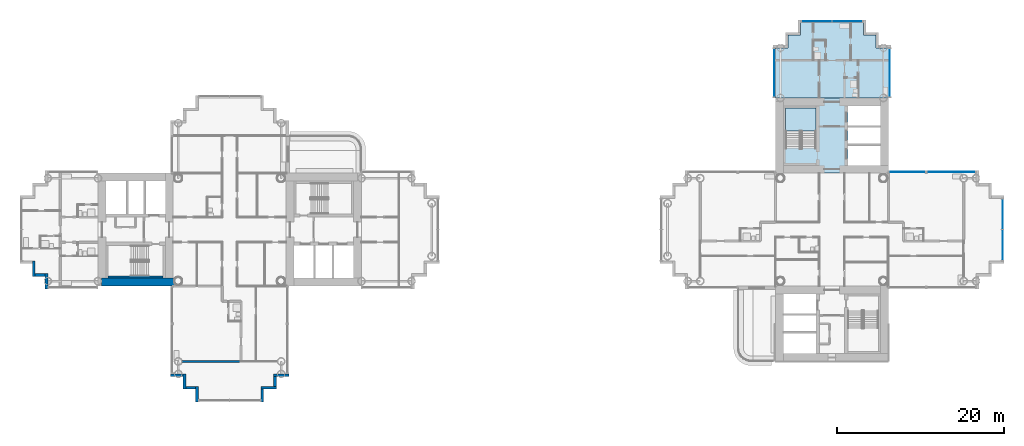
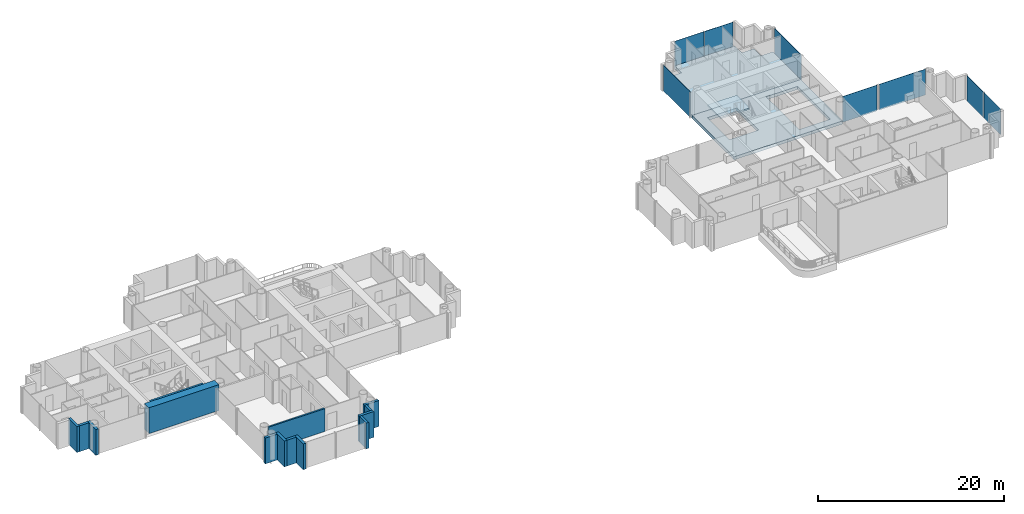
# One storey, part 8 of 21: 14 walls, 8 plates, 3 slabs, 7 elements without a shape of their own.
"""IFC4 building model written with IfcOpenShell, lengths in metres."""

from ifc_helpers import new_model, si_unit, direction, frame, frame_2d, origin, origin_2d, place, context, subcontext, project, spatial, polyline, rectangle, outline, extrude, material, layer, layer_set, type_object, element, aggregate, save


model = new_model("IFC4")

# Units and contexts
model_context = context("Model", 3, precision=1e-05, world=origin(), true_north=direction((0.0, 1.0)))
body_context = subcontext(model_context, "Body", "Model", "MODEL_VIEW")
ifc_project = project(units=[si_unit("LENGTHUNIT", "METRE"), si_unit("AREAUNIT", "SQUARE_METRE"), si_unit("VOLUMEUNIT", "CUBIC_METRE"), si_unit("PLANEANGLEUNIT", "RADIAN"), si_unit("MASSUNIT", "GRAM", prefix="KILO")], contexts=[model_context])

# Site, building, storey
site_placement = place(None, origin())
site = spatial("IfcSite", under=ifc_project, at=site_placement, CompositionType="ELEMENT")
building_placement = place(site_placement, origin())
building = spatial("IfcBuilding", under=site, at=building_placement, Name="Ipe Terrace Towers", CompositionType="ELEMENT")
storey_placement = place(building_placement, frame((0.0, 0.0, 83.39990234375)))
storey = spatial("IfcBuildingStorey", under=building, at=storey_placement, Name="L22", CompositionType="ELEMENT", Elevation=83.39990234375)

# Slab
ifc_material_1 = material(Name="Concrete C30/37", Category="concrete")
ifc_layer_1 = layer(ifc_material_1, 0.39990234375)
ifc_layer_set_1 = layer_set([ifc_layer_1], Name="CORE FLOOR SLAB 400 C30-37")
slab_type_1 = type_object("IfcSlabType", Name="CORE FLOOR SLAB 400 C30-37", PredefinedType="FLOOR", material=ifc_layer_set_1)
slab_1_placement = place(storey_placement, frame((0.0, 0.0, -0.39990234375)))
element("IfcSlab", 1, at=slab_1_placement, inside=storey, type_object=slab_type_1, Name="Core floor T2-C1", PredefinedType="FLOOR", context=body_context, shape_type="SweptSolid", body=[
    extrude(outline(polyline([(29.25, 6.75), (29.25, 15.75), (42.75, 15.75), (42.75, 6.75), (29.25, 6.75)]), holes=[polyline([(41.800048828125, 7.699951171875), (41.800048828125, 14.800048828125), (37.89990234375, 14.800048828125), (37.89990234375, 7.699951171875), (41.800048828125, 7.699951171875)]), polyline([(30.449951171875, 9.800048828125), (34.10009765625, 9.800048828125), (34.10009765625, 14.550048828125), (30.449951171875, 14.550048828125), (30.449951171875, 9.800048828125)])]), origin(), (0.0, 0.0, 1.0), 0.39990234375),
])

# Stair, slab
ifc_material_2 = material(Name="Concrete C30/37", Category="concrete")
stair_type = type_object("IfcStairType", Name="Protected exit stair", PredefinedType="HALF_TURN_STAIR", material=ifc_material_2)
stair_placement = place(storey_placement, origin())
stair = element("IfcStair", 2, at=stair_placement, inside=storey, type_object=stair_type, Name="L22 Exit stair T2-C1", PredefinedType="HALF_TURN_STAIR")
ifc_material_3 = material(Name="Concrete C30/37", Category="concrete")
ifc_layer_2 = layer(ifc_material_3, 0.199951171875)
ifc_layer_set_2 = layer_set([ifc_layer_2], Name="Exit stair landing 200")
slab_type_2 = type_object("IfcSlabType", Name="Exit stair landing 200", PredefinedType="LANDING", material=ifc_layer_set_2)
slab_2_placement = place(storey_placement, frame((0.0, 0.0, 1.5)))
slab_2 = element("IfcSlab", 3, at=slab_2_placement, type_object=slab_type_2, Name="T2-ST1 landing 1", PredefinedType="LANDING", context=body_context, shape_type="SweptSolid", body=[
    extrude(outline(polyline([(34.10009765625, 11.780029296875), (34.10009765625, 14.550048828125), (30.449951171875, 14.550048828125), (30.449951171875, 11.780029296875), (34.10009765625, 11.780029296875)])), origin(), (0.0, 0.0, 1.0), 0.2001953125),
])
aggregate(stair, [slab_2])

# Slab
ifc_material_4 = material(Name="Concrete C40/50", Category="concrete")
ifc_layer_3 = layer(ifc_material_4, 0.39990234375)
ifc_layer_set_3 = layer_set([ifc_layer_3], Name="FLAT PLATE SLAB 400 C40-50")
slab_type_3 = type_object("IfcSlabType", Name="FLAT PLATE SLAB 400 C40-50", PredefinedType="FLOOR", material=ifc_layer_set_3)
slab_3_placement = place(storey_placement, frame((0.0, 0.0, -0.39990234375)))
element("IfcSlab", 4, at=slab_3_placement, inside=storey, type_object=slab_type_3, Name="Slab T2-FS-Z22", PredefinedType="FLOOR", context=body_context, shape_type="SweptSolid", body=[
    extrude(outline(polyline([(30.75, 21.75), (30.75, 23.25), (32.25, 23.25), (32.25, 24.75), (39.75, 24.75), (39.75, 23.25), (41.25, 23.25), (41.25, 21.75), (42.75, 21.75), (42.75, 15.75), (29.25, 15.75), (29.25, 21.75), (30.75, 21.75)])), origin(), (0.0, 0.0, 1.0), 0.39990234375),
])

# Curtain wall, plates
ifc_material_5 = material(Name="Aluminium alloy 6063-T6", Category="aluminium")
ifc_layer_4 = layer(ifc_material_5, 0.320068359375)
ifc_layer_set_4 = layer_set([ifc_layer_4], Name="TOWER UNITISED CURTAIN WALL")
curtain_wall_type = type_object("IfcCurtainWallType", Name="TOWER UNITISED CURTAIN WALL", PredefinedType="NOTDEFINED", material=ifc_layer_set_4)
curtain_wall_1_placement = place(storey_placement, origin())
curtain_wall_1 = element("IfcCurtainWall", 5, at=curtain_wall_1_placement, inside=storey, type_object=curtain_wall_type, Name="T2-CW-L22-08a curtain wall", PredefinedType="NOTDEFINED")
ifc_material_6 = material(Name="Glass, clear laminated", Category="glass")
ifc_layer_5 = layer(ifc_material_6, 0.031982421875)
ifc_layer_set_5 = layer_set([ifc_layer_5], Name="TOWER UNITISED GLASS PANEL 32")
plate_type = type_object("IfcPlateType", Name="TOWER UNITISED GLASS PANEL 32", PredefinedType="CURTAIN_PANEL", material=ifc_layer_set_5)
plate_1_placement = place(storey_placement, frame((56.409912109375, -1.831298828125, -0.2998046875), z_axis=(0.0, 0.0, 1.0), x_axis=(0.0, 1.0, 0.0)))
plate_1 = element("IfcPlate", 6, at=plate_1_placement, type_object=plate_type, Name="T2-CW-L22-08a panel 1", PredefinedType="CURTAIN_PANEL", context=body_context, shape_type="SweptSolid", body=[
    extrude(rectangle(XDim=3.597412109375, YDim=0.031982421875, at=origin_2d()), origin(), (0.0, 0.0, 1.0), 3.39990234375),
])
plate_2_placement = place(storey_placement, frame((56.409912109375, 1.831298828125, -0.2998046875), z_axis=(0.0, 0.0, 1.0), x_axis=(0.0, 1.0, 0.0)))
plate_2 = element("IfcPlate", 7, at=plate_2_placement, type_object=plate_type, Name="T2-CW-L22-08a panel 2", PredefinedType="CURTAIN_PANEL", context=body_context, shape_type="SweptSolid", body=[
    extrude(rectangle(XDim=3.597412109375, YDim=0.031982421875, at=origin_2d()), origin(), (0.0, 0.0, 1.0), 3.39990234375),
])
aggregate(curtain_wall_1, [plate_1, plate_2])

# Curtain wall, plate
curtain_wall_2_placement = place(storey_placement, origin())
curtain_wall_2 = element("IfcCurtainWall", 8, at=curtain_wall_2_placement, inside=storey, type_object=curtain_wall_type, Name="T2-CW-L22-13a curtain wall", PredefinedType="NOTDEFINED")
plate_3_placement = place(storey_placement, frame((50.25, 6.909912109375, -0.2998046875), z_axis=(0.0, 0.0, 1.0), x_axis=(-1.0, 0.0, 0.0)))
plate_3 = element("IfcPlate", 9, at=plate_3_placement, type_object=plate_type, Name="T2-CW-L22-13a panel 1", PredefinedType="CURTAIN_PANEL", context=body_context, shape_type="SweptSolid", body=[
    extrude(rectangle(XDim=5.760009765625, YDim=0.031982421875, at=origin_2d()), origin(), (0.0, 0.0, 1.0), 3.39990234375),
])
aggregate(curtain_wall_2, [plate_3])

curtain_wall_3_placement = place(storey_placement, origin())
curtain_wall_3 = element("IfcCurtainWall", 10, at=curtain_wall_3_placement, inside=storey, type_object=curtain_wall_type, Name="T2-CW-L22-14a curtain wall", PredefinedType="NOTDEFINED")
plate_4_placement = place(storey_placement, frame((45.0, 6.909912109375, -0.2998046875), z_axis=(0.0, 0.0, 1.0), x_axis=(-1.0, 0.0, 0.0)))
plate_4 = element("IfcPlate", 11, at=plate_4_placement, type_object=plate_type, Name="T2-CW-L22-14a panel 1", PredefinedType="CURTAIN_PANEL", context=body_context, shape_type="SweptSolid", body=[
    extrude(rectangle(XDim=4.260009765625, YDim=0.031982421875, at=origin_2d()), origin(), (0.0, 0.0, 1.0), 3.39990234375),
])
aggregate(curtain_wall_3, [plate_4])

curtain_wall_4_placement = place(storey_placement, origin())
curtain_wall_4 = element("IfcCurtainWall", 12, at=curtain_wall_4_placement, inside=storey, type_object=curtain_wall_type, Name="T2-CW-L22-16b curtain wall", PredefinedType="NOTDEFINED")
plate_5_placement = place(storey_placement, frame((42.909912109375, 18.75048828125, -0.2998046875), z_axis=(0.0, 0.0, 1.0), x_axis=(0.0, 1.0, 0.0)))
plate_5 = element("IfcPlate", 13, at=plate_5_placement, type_object=plate_type, Name="T2-CW-L22-16b panel 1", PredefinedType="CURTAIN_PANEL", context=body_context, shape_type="SweptSolid", body=[
    extrude(rectangle(XDim=5.759033203125, YDim=0.031982421875, at=origin_2d()), origin(), (0.0, 0.0, 1.0), 3.39990234375),
])
aggregate(curtain_wall_4, [plate_5])

# Curtain wall, plates
curtain_wall_5_placement = place(storey_placement, origin())
curtain_wall_5 = element("IfcCurtainWall", 14, at=curtain_wall_5_placement, inside=storey, type_object=curtain_wall_type, Name="T2-CW-L22-21a curtain wall", PredefinedType="NOTDEFINED")
plate_6_placement = place(storey_placement, frame((37.831298828125, 24.909912109375, -0.2998046875), z_axis=(0.0, 0.0, 1.0), x_axis=(-1.0, 0.0, 0.0)))
plate_6 = element("IfcPlate", 15, at=plate_6_placement, type_object=plate_type, Name="T2-CW-L22-21a panel 1", PredefinedType="CURTAIN_PANEL", context=body_context, shape_type="SweptSolid", body=[
    extrude(rectangle(XDim=3.597412109375, YDim=0.031982421875, at=origin_2d()), origin(), (0.0, 0.0, 1.0), 3.39990234375),
])
plate_7_placement = place(storey_placement, frame((34.168701171875, 24.909912109375, -0.2998046875), z_axis=(0.0, 0.0, 1.0), x_axis=(-1.0, 0.0, 0.0)))
plate_7 = element("IfcPlate", 16, at=plate_7_placement, type_object=plate_type, Name="T2-CW-L22-21a panel 2", PredefinedType="CURTAIN_PANEL", context=body_context, shape_type="SweptSolid", body=[
    extrude(rectangle(XDim=3.597412109375, YDim=0.031982421875, at=origin_2d()), origin(), (0.0, 0.0, 1.0), 3.39990234375),
])
aggregate(curtain_wall_5, [plate_6, plate_7])

# Curtain wall, plate
curtain_wall_6_placement = place(storey_placement, origin())
curtain_wall_6 = element("IfcCurtainWall", 17, at=curtain_wall_6_placement, inside=storey, type_object=curtain_wall_type, Name="T2-CW-L22-26a curtain wall", PredefinedType="NOTDEFINED")
plate_8_placement = place(storey_placement, frame((29.090087890625, 18.75048828125, -0.2998046875), z_axis=(0.0, 0.0, 1.0), x_axis=(0.0, -1.0, 0.0)))
plate_8 = element("IfcPlate", 18, at=plate_8_placement, type_object=plate_type, Name="T2-CW-L22-26a panel 1", PredefinedType="CURTAIN_PANEL", context=body_context, shape_type="SweptSolid", body=[
    extrude(rectangle(XDim=5.759033203125, YDim=0.031982421875, at=origin_2d()), origin(), (0.0, 0.0, 1.0), 3.39990234375),
])
aggregate(curtain_wall_6, [plate_8])

# Walls
ifc_material_7 = material(Name="Concrete C40/50 with buff precast cladding", Category="concrete")
ifc_layer_6 = layer(ifc_material_7, 0.320068359375)
ifc_layer_set_6 = layer_set([ifc_layer_6], Name="BUFF CLADDING WALL 320")
wall_type_1 = type_object("IfcWallType", Name="BUFF CLADDING WALL 320", PredefinedType="STANDARD", material=ifc_layer_set_6)
wall_1_placement = place(storey_placement, frame((-59.409912109375, -3.75, -0.2998046875), z_axis=(0.0, 0.0, 1.0), x_axis=(0.0, -1.0, 0.0)))
element("IfcWall", 19, at=wall_1_placement, inside=storey, type_object=wall_type_1, Name="T1-W-L22-01a wall", PredefinedType="STANDARD", context=body_context, shape_type="SweptSolid", body=[
    extrude(rectangle(XDim=1.820068359375, YDim=0.320068359375, at=frame_2d((0.91015625, 0.0))), origin(), (0.0, 0.0, 1.0), 3.39990234375),
])
wall_2_placement = place(storey_placement, frame((-59.25, -5.409912109375, -0.2998046875), z_axis=(0.0, 0.0, 1.0), x_axis=(1.0, 0.0, 0.0)))
element("IfcWall", 20, at=wall_2_placement, inside=storey, type_object=wall_type_1, Name="T1-W-L22-02a wall", PredefinedType="STANDARD", context=body_context, shape_type="SweptSolid", body=[
    extrude(rectangle(XDim=1.179931640625, YDim=0.320068359375, at=frame_2d((0.58984375, 0.0))), origin(), (0.0, 0.0, 1.0), 3.39990234375),
])
wall_3_placement = place(storey_placement, frame((-57.909912109375, -5.25, -0.2998046875), z_axis=(0.0, 0.0, 1.0), x_axis=(0.0, -1.0, 0.0)))
element("IfcWall", 21, at=wall_3_placement, inside=storey, type_object=wall_type_1, Name="T1-W-L22-03a wall", PredefinedType="STANDARD", context=body_context, shape_type="SweptSolid", body=[
    extrude(rectangle(XDim=1.820068359375, YDim=0.320068359375, at=frame_2d((0.91015625, 0.0))), origin(), (0.0, 0.0, 1.0), 3.39990234375),
])
wall_4_placement = place(storey_placement, frame((-43.070068359375, -17.409912109375, -0.2998046875), z_axis=(0.0, 0.0, 1.0), x_axis=(1.0, 0.0, 0.0)))
element("IfcWall", 22, at=wall_4_placement, inside=storey, type_object=wall_type_1, Name="T1-W-L22-08a wall", PredefinedType="STANDARD", context=body_context, shape_type="SweptSolid", body=[
    extrude(rectangle(XDim=1.5, YDim=0.320068359375, at=frame_2d((0.75, 0.0))), origin(), (0.0, 0.0, 1.0), 3.39990234375),
])
wall_5_placement = place(storey_placement, frame((-41.409912109375, -17.25, -0.2998046875), z_axis=(0.0, 0.0, 1.0), x_axis=(0.0, -1.0, 0.0)))
element("IfcWall", 23, at=wall_5_placement, inside=storey, type_object=wall_type_1, Name="T1-W-L22-09a wall", PredefinedType="STANDARD", context=body_context, shape_type="SweptSolid", body=[
    extrude(rectangle(XDim=1.820068359375, YDim=0.320068359375, at=frame_2d((0.91015625, 0.0))), origin(), (0.0, 0.0, 1.0), 3.39990234375),
])
wall_6_placement = place(storey_placement, frame((-41.25, -18.909912109375, -0.2998046875), z_axis=(0.0, 0.0, 1.0), x_axis=(1.0, 0.0, 0.0)))
element("IfcWall", 24, at=wall_6_placement, inside=storey, type_object=wall_type_1, Name="T1-W-L22-10a wall", PredefinedType="STANDARD", context=body_context, shape_type="SweptSolid", body=[
    extrude(rectangle(XDim=1.179931640625, YDim=0.320068359375, at=frame_2d((0.58984375, 0.0))), origin(), (0.0, 0.0, 1.0), 3.39990234375),
])
wall_7_placement = place(storey_placement, frame((-39.909912109375, -18.75, -0.2998046875), z_axis=(0.0, 0.0, 1.0), x_axis=(0.0, -1.0, 0.0)))
element("IfcWall", 25, at=wall_7_placement, inside=storey, type_object=wall_type_1, Name="T1-W-L22-11a wall", PredefinedType="STANDARD", context=body_context, shape_type="SweptSolid", body=[
    extrude(rectangle(XDim=1.820068359375, YDim=0.320068359375, at=frame_2d((0.91015625, 0.0))), origin(), (0.0, 0.0, 1.0), 3.39990234375),
])
wall_8_placement = place(storey_placement, frame((-32.090087890625, -20.570068359375, -0.2998046875), z_axis=(0.0, 0.0, 1.0), x_axis=(0.0, 1.0, 0.0)))
element("IfcWall", 26, at=wall_8_placement, inside=storey, type_object=wall_type_1, Name="T1-W-L22-13a wall", PredefinedType="STANDARD", context=body_context, shape_type="SweptSolid", body=[
    extrude(rectangle(XDim=1.5, YDim=0.320068359375, at=frame_2d((0.75, 0.0))), origin(), (0.0, 0.0, 1.0), 3.39990234375),
])
wall_9_placement = place(storey_placement, frame((-32.25, -18.909912109375, -0.2998046875), z_axis=(0.0, 0.0, 1.0), x_axis=(1.0, 0.0, 0.0)))
element("IfcWall", 27, at=wall_9_placement, inside=storey, type_object=wall_type_1, Name="T1-W-L22-14a wall", PredefinedType="STANDARD", context=body_context, shape_type="SweptSolid", body=[
    extrude(rectangle(XDim=1.820068359375, YDim=0.320068359375, at=frame_2d((0.91015625, 0.0))), origin(), (0.0, 0.0, 1.0), 3.39990234375),
])
wall_10_placement = place(storey_placement, frame((-30.590087890625, -18.75, -0.2998046875), z_axis=(0.0, 0.0, 1.0), x_axis=(0.0, 1.0, 0.0)))
element("IfcWall", 28, at=wall_10_placement, inside=storey, type_object=wall_type_1, Name="T1-W-L22-15a wall", PredefinedType="STANDARD", context=body_context, shape_type="SweptSolid", body=[
    extrude(rectangle(XDim=1.179931640625, YDim=0.320068359375, at=frame_2d((0.58984375, 0.0))), origin(), (0.0, 0.0, 1.0), 3.39990234375),
])
wall_11_placement = place(storey_placement, frame((-30.75, -17.409912109375, -0.2998046875), z_axis=(0.0, 0.0, 1.0), x_axis=(1.0, 0.0, 0.0)))
element("IfcWall", 29, at=wall_11_placement, inside=storey, type_object=wall_type_1, Name="T1-W-L22-16a wall", PredefinedType="STANDARD", context=body_context, shape_type="SweptSolid", body=[
    extrude(rectangle(XDim=1.820068359375, YDim=0.320068359375, at=frame_2d((0.91015625, 0.0))), origin(), (0.0, 0.0, 1.0), 3.39990234375),
])
ifc_material_8 = material(Name="Gypsum board party wall", Category="plasterboard")
ifc_layer_7 = layer(ifc_material_8, 0.199951171875)
ifc_layer_set_7 = layer_set([ifc_layer_7], Name="Gypsum board party wall 200 mm")
wall_type_2 = type_object("IfcWallType", Name="Gypsum board party wall 200 mm", PredefinedType="SOLIDWALL", material=ifc_layer_set_7)
wall_12_placement = place(storey_placement, frame((-41.699951171875, -15.75, 0.0), z_axis=(0.0, 0.0, 1.0), x_axis=(1.0, 0.0, 0.0)))
element("IfcWall", 30, at=wall_12_placement, inside=storey, type_object=wall_type_2, Name="Gypsum board party wall T1 L22 W19", PredefinedType="SOLIDWALL", context=body_context, shape_type="SweptSolid", body=[
    extrude(rectangle(XDim=7.050048828125, YDim=0.199951171875, at=frame_2d((3.52490234375, 0.0))), origin(), (0.0, 0.0, 1.0), 3.0),
])
ifc_material_9 = material(Name="Concrete C50/60", Category="concrete")
ifc_layer_8 = layer(ifc_material_9, 0.25)
ifc_layer_set_8 = layer_set([ifc_layer_8], Name="RW250 CORE INFILL WALL 250 C50-60")
wall_type_3 = type_object("IfcWallType", Name="RW250 CORE INFILL WALL 250 C50-60", PredefinedType="SHEAR", material=ifc_layer_set_8)
wall_13_placement = place(storey_placement, frame((-43.949951171875, -5.675048828125, 0.0), z_axis=(0.0, 0.0, 1.0), x_axis=(-1.0, 0.0, 0.0)))
element("IfcWall", 31, at=wall_13_placement, inside=storey, type_object=wall_type_3, Name="Core infill wall T1-C2-back", PredefinedType="SHEAR", context=body_context, shape_type="SweptSolid", body=[
    extrude(rectangle(XDim=6.60009765625, YDim=0.25, at=frame_2d((3.300048828125, 0.0))), origin(), (0.0, 0.0, 1.0), 3.400146484375),
])
ifc_material_10 = material(Name="Concrete C50/60", Category="concrete")
ifc_layer_9 = layer(ifc_material_10, 0.949951171875)
ifc_layer_set_9 = layer_set([ifc_layer_9], Name="RW950 CORE WALL 950 C50-60")
wall_type_4 = type_object("IfcWallType", Name="RW950 CORE WALL 950 C50-60", PredefinedType="SHEAR", material=ifc_layer_set_9)
wall_14_placement = place(storey_placement, frame((-51.298095703125, -6.27490234375, 0.0), z_axis=(0.0, 0.0, 1.0), x_axis=(1.0, 0.0, 0.0)))
element("IfcWall", 32, at=wall_14_placement, inside=storey, type_object=wall_type_4, Name="Core wall T1-C2-Z2-W01", PredefinedType="SHEAR", context=body_context, shape_type="SweptSolid", body=[
    extrude(rectangle(XDim=8.696044921875, YDim=0.949951171875, at=frame_2d((4.34814453125, 0.0))), origin(), (0.0, 0.0, 1.0), 3.400146484375),
])

save(model, "model.ifc")
